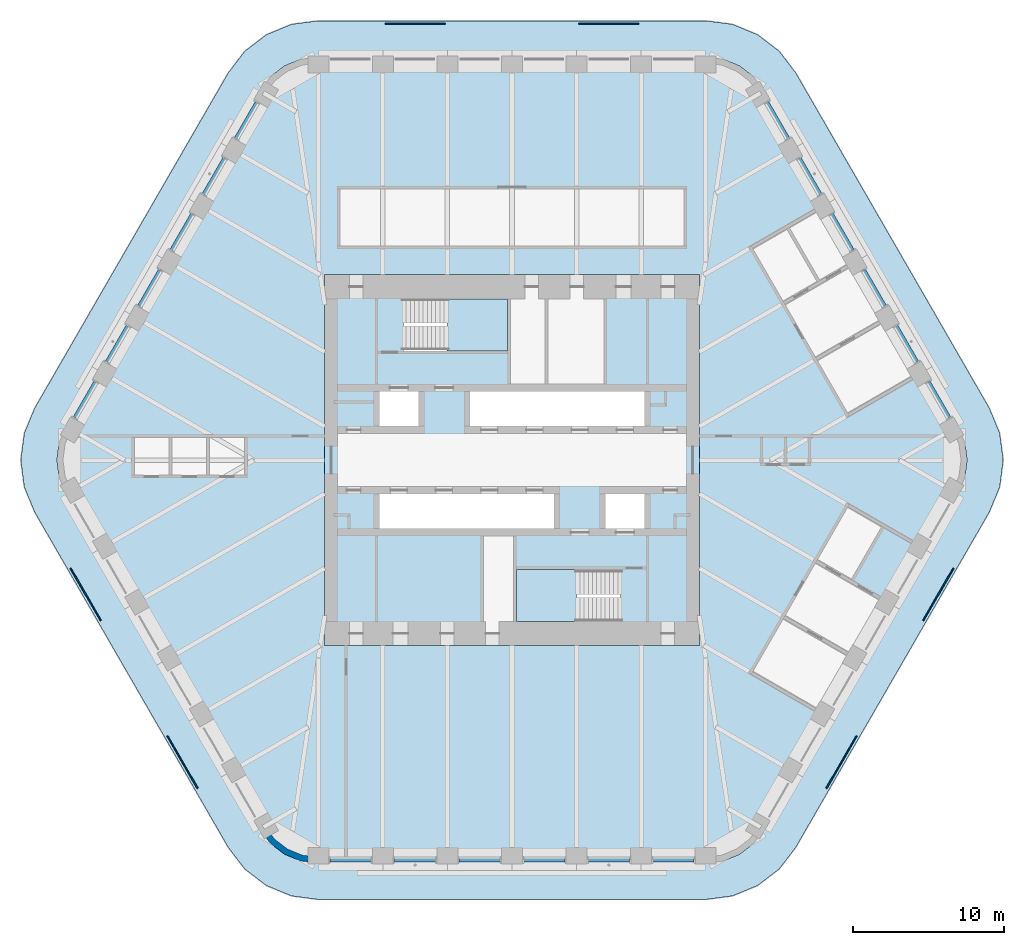
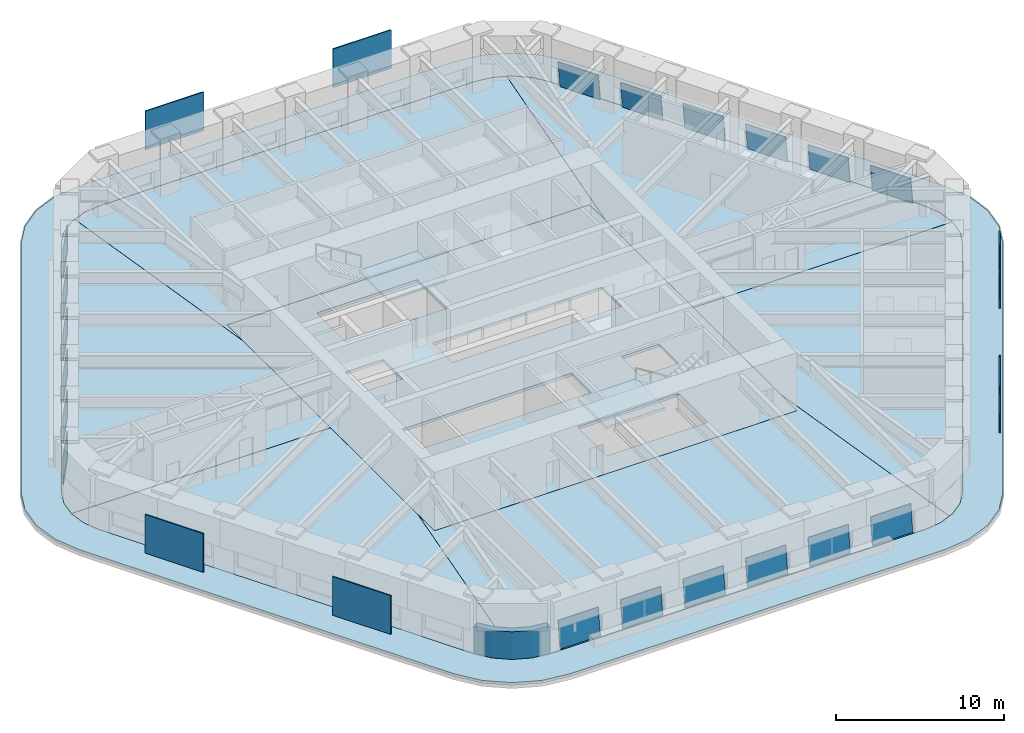
# One storey, part 12 of 18: 24 plates, 10 slabs, 1 wall, 20 elements without a shape of their own.
"""IFC4 building model written with IfcOpenShell, lengths in metres."""

import ifcopenshell
import ifcopenshell.guid

model = None  # the IFC model being written
_history = None  # IfcOwnerHistory: only IFC2X3 demands one
_inside = {}  # id of a spatial element -> (the spatial element, [elements in it])
_under = {}  # id of a project, library or spatial element -> (it, [spatial elements below it])
_declared = {}  # id of a project -> (the project, [libraries it declares])
_typed = {}  # id of a type object -> (the type object, [elements of that type])
_made_of = {}  # id of a material, layer set ... -> (it, [elements and type objects made of it])


def new_model(schema):
    """Start an empty IFC model of exactly this schema.

    Asked for "IFC4X3", IfcOpenShell would pick the latest addendum, in which some entities
    have other attributes; the version numbers below select the first issue.
    IFC2X3 requires an IfcOwnerHistory on every rooted entity: one is made here for all.
    """
    global model, _history
    if schema == "IFC4X3":
        model = ifcopenshell.file(schema_version=(4, 3, 0, 0))
    else:
        model = ifcopenshell.file(schema=schema)
    _inside.clear()
    _under.clear()
    _declared.clear()
    _typed.clear()
    _made_of.clear()
    _history = None
    if model.schema == "IFC2X3":
        org = make("IfcOrganization", Name="unknown")
        user = make(
            "IfcPersonAndOrganization",
            ThePerson=make("IfcPerson", FamilyName="unknown"),
            TheOrganization=org,
        )
        app = make(
            "IfcApplication",
            ApplicationDeveloper=org,
            Version="unknown",
            ApplicationFullName="unknown",
            ApplicationIdentifier="unknown",
        )
        _history = make(
            "IfcOwnerHistory",
            OwningUser=user,
            OwningApplication=app,
            ChangeAction="ADDED",
            CreationDate=0,
        )
    return model


def make(cls, **values):
    """One entity of the class cls with the attributes given. An attribute that is None is left unset."""
    return model.create_entity(
        cls, **{name: value for name, value in values.items() if value is not None}
    )


def rooted(cls, **values):
    """An entity with a GlobalId (a new one), such as an element, a storey or a relation."""
    return make(cls, GlobalId=ifcopenshell.guid.new(), OwnerHistory=_history, **values)


def si_unit(unit_type, name, prefix=None):
    """IfcSIUnit, for example si_unit("LENGTHUNIT", "METRE", prefix="MILLI")."""
    return make("IfcSIUnit", UnitType=unit_type, Prefix=prefix, Name=name)


def assignment(units):
    """IfcUnitAssignment: the units of a project."""
    return None if units is None else make("IfcUnitAssignment", Units=units)


def point(xyz):
    """IfcCartesianPoint."""
    return None if xyz is None else make("IfcCartesianPoint", Coordinates=xyz)


def direction(xyz):
    """IfcDirection."""
    return None if xyz is None else make("IfcDirection", DirectionRatios=xyz)


def frame(location, z_axis=None, x_axis=None):
    """IfcAxis2Placement3D, a coordinate frame: its origin and axes. An axis left out is left unset."""
    return make(
        "IfcAxis2Placement3D",
        Location=point(location),
        Axis=direction(z_axis),
        RefDirection=direction(x_axis),
    )


def frame_2d(location, x_axis=None):
    """IfcAxis2Placement2D, a coordinate frame in the plane: its origin and x axis."""
    return make(
        "IfcAxis2Placement2D", Location=point(location), RefDirection=direction(x_axis)
    )


def origin():
    """The frame at (0, 0, 0) with its axes left unset."""
    return frame((0.0, 0.0, 0.0))


def origin_2d():
    """The frame at (0, 0) in the plane with its x axis left unset."""
    return frame_2d((0.0, 0.0))


def place(relative_to, where):
    """IfcLocalPlacement: puts the frame where relative to a parent placement (None: the world)."""
    return make(
        "IfcLocalPlacement", PlacementRelTo=relative_to, RelativePlacement=where
    )


def context(
    kind, dimensions, precision=None, world=None, true_north=None, identifier=None
):
    """IfcGeometricRepresentationContext, for example the 3D "Model" context."""
    return make(
        "IfcGeometricRepresentationContext",
        ContextIdentifier=identifier,
        ContextType=kind,
        CoordinateSpaceDimension=dimensions,
        Precision=precision,
        WorldCoordinateSystem=world,
        TrueNorth=true_north,
    )


def subcontext(parent, identifier, kind, view, scale=None):
    """IfcGeometricRepresentationSubContext, for example "Body" below "Model"."""
    return make(
        "IfcGeometricRepresentationSubContext",
        ContextIdentifier=identifier,
        ContextType=kind,
        ParentContext=parent,
        TargetScale=scale,
        TargetView=view,
    )


def project(units=None, contexts=None):
    """IfcProject with its units and contexts."""
    return rooted(
        "IfcProject",
        Name="project",
        RepresentationContexts=contexts,
        UnitsInContext=assignment(units),
    )


def spatial(cls, under=None, at=None, **own):
    """A site, building, storey or space (cls), placed at a placement, below another one or the project."""
    s = rooted(cls, ObjectPlacement=at, **own)
    if under is not None:
        _under.setdefault(under.id(), (under, []))[1].append(s)
    return s


def polyline(points):
    """IfcPolyline through the points."""
    return make("IfcPolyline", Points=[point(p) for p in points])


def profile(cls, at=None, kind="AREA", **sizes):
    """A parametric profile (cls). Its sizes go by their IFC names, for example OverallWidth=200.0."""
    return make(cls, ProfileType=kind, Position=at, **sizes)


def rectangle(**sizes):
    """IfcRectangleProfileDef."""
    return profile("IfcRectangleProfileDef", **sizes)


def outline(outer, holes=None, kind="AREA"):
    """IfcArbitraryClosedProfileDef: a profile drawn as a closed curve; with holes, ...WithVoids."""
    if holes is None:
        return make("IfcArbitraryClosedProfileDef", ProfileType=kind, OuterCurve=outer)
    return make(
        "IfcArbitraryProfileDefWithVoids",
        ProfileType=kind,
        OuterCurve=outer,
        InnerCurves=holes,
    )


def extrude(swept, where, along, depth):
    """IfcExtrudedAreaSolid: the profile swept, set in the frame where, extruded along a direction by depth."""
    return make(
        "IfcExtrudedAreaSolid",
        SweptArea=swept,
        Position=where,
        ExtrudedDirection=direction(along),
        Depth=depth,
    )


def shape(context_of_items, identifier, shape_type, items):
    """IfcShapeRepresentation: the items that make up one representation, for example the "Body"."""
    return make(
        "IfcShapeRepresentation",
        ContextOfItems=context_of_items,
        RepresentationIdentifier=identifier,
        RepresentationType=shape_type,
        Items=items,
    )


def material(Name=None, Category=None):
    """IfcMaterial."""
    return make("IfcMaterial", Name=Name, Category=Category)


def layer(
    of_material, thickness, ventilated=None, Name=None, Category=None, Priority=None
):
    """IfcMaterialLayer: one layer of a wall or slab, of a material (None: an air gap)."""
    return make(
        "IfcMaterialLayer",
        Material=of_material,
        LayerThickness=thickness,
        IsVentilated=ventilated,
        Name=Name,
        Category=Category,
        Priority=Priority,
    )


def layer_set(layers, Name=None):
    """IfcMaterialLayerSet."""
    return make("IfcMaterialLayerSet", MaterialLayers=layers, LayerSetName=Name)


def made_of(thing, what):
    """Note that an element or type object is made of a material, layer set ...; save() writes the relation."""
    if what is not None:
        _made_of.setdefault(what.id(), (what, []))[1].append(thing)
    return thing


def type_object(cls, material=None, **own):
    """A type object (cls), such as IfcWallType, which elements share."""
    return made_of(rooted(cls, **own), material)


def element(
    cls,
    number,
    at=None,
    inside=None,
    cuts=None,
    type_object=None,
    material=None,
    context=None,
    identifier="Body",
    shape_type=None,
    held_by="IfcProductDefinitionShape",
    body=None,
    shapes=None,
    **own,
):
    """One element of the class cls, such as IfcWall. Its Tag is "e" and its number.

    at: its placement. inside: the storey or other place that contains it. cuts: it is an
    opening in that element (IfcRelVoidsElement). A single representation is given by context,
    identifier, shape_type and body (its items); several are given by shapes. held_by: the class
    of the entity that holds the representations. save() writes the other relations.
    """
    e = rooted(cls, Tag="e%d" % number, ObjectPlacement=at, **own)
    if body is not None:
        shapes = [shape(context, identifier, shape_type, body)]
    if shapes is not None:
        e.Representation = make(held_by, Representations=shapes)
    if inside is not None:
        _inside.setdefault(inside.id(), (inside, []))[1].append(e)
    if cuts is not None:
        rooted(
            "IfcRelVoidsElement", RelatingBuildingElement=cuts, RelatedOpeningElement=e
        )
    if type_object is not None:
        _typed.setdefault(type_object.id(), (type_object, []))[1].append(e)
    return made_of(e, material)


def aggregate(whole, parts):
    """IfcRelAggregates: a whole, such as a stair, and the parts it consists of."""
    return rooted("IfcRelAggregates", RelatingObject=whole, RelatedObjects=parts)


def save(model, path):
    """Write the relations noted so far, then the file.

    IfcRelAggregates (storeys below a building ...), IfcRelContainedInSpatialStructure (elements
    in a storey), IfcRelDefinesByType, IfcRelAssociatesMaterial and IfcRelDeclares: one each for
    every whole, place, type object, material and project.
    """
    for whole, parts in _under.values():
        aggregate(whole, parts)
    for where, things in _inside.values():
        rooted(
            "IfcRelContainedInSpatialStructure",
            RelatedElements=things,
            RelatingStructure=where,
        )
    for kind, things in _typed.values():
        rooted("IfcRelDefinesByType", RelatedObjects=things, RelatingType=kind)
    for what, things in _made_of.values():
        rooted("IfcRelAssociatesMaterial", RelatedObjects=things, RelatingMaterial=what)
    for by, libraries in _declared.values():
        rooted("IfcRelDeclares", RelatingContext=by, RelatedDefinitions=libraries)
    model.write(path)


model = new_model("IFC4")

# Units and contexts
model_context = context("Model", 3, precision=1e-05, world=origin(), true_north=direction((0.0, 1.0)))
body_context = subcontext(model_context, "Body", "Model", "MODEL_VIEW")
ifc_project = project(units=[si_unit("LENGTHUNIT", "METRE"), si_unit("AREAUNIT", "SQUARE_METRE"), si_unit("VOLUMEUNIT", "CUBIC_METRE"), si_unit("PLANEANGLEUNIT", "RADIAN"), si_unit("MASSUNIT", "GRAM", prefix="KILO")], contexts=[model_context])

# Site, building, storey
site_placement = place(None, origin())
site = spatial("IfcSite", under=ifc_project, at=site_placement, CompositionType="ELEMENT")
building_placement = place(site_placement, origin())
building = spatial("IfcBuilding", under=site, at=building_placement, Name="Tarfa Lantern Tower", CompositionType="ELEMENT")
storey_placement = place(building_placement, frame((0.0, 0.0, 324.10009765625)))
storey = spatial("IfcBuildingStorey", under=building, at=storey_placement, Name="L73", CompositionType="ELEMENT", Elevation=324.10009765625)

# Slab
ifc_material_1 = material(Name="Concrete C40/50", Category="concrete")
ifc_layer_1 = layer(ifc_material_1, 0.199951171875)
ifc_layer_set_1 = layer_set([ifc_layer_1], Name="BS2 BALCONY SLAB 200")
slab_type_1 = type_object("IfcSlabType", Name="BS2 BALCONY SLAB 200", PredefinedType="FLOOR", material=ifc_layer_set_1)
slab_1_placement = place(storey_placement, frame((0.0, 0.0, -0.2001953125)))
element("IfcSlab", 1, at=slab_1_placement, inside=storey, type_object=slab_type_1, Name="Planted ledge L73", PredefinedType="FLOOR", context=body_context, shape_type="SweptSolid", body=[
    extrude(outline(polyline([(31.667724609375, 3.449951171875), (18.821533203125, 25.699951171875), (17.72509765625, 27.129150390625), (16.296142578125, 28.2255859375), (14.6318359375, 28.914794921875), (12.845947265625, 29.14990234375), (-12.845947265625, 29.14990234375), (-14.6318359375, 28.914794921875), (-16.296142578125, 28.2255859375), (-17.72509765625, 27.129150390625), (-18.821533203125, 25.699951171875), (-31.667724609375, 3.449951171875), (-32.35693359375, 1.785888671875), (-32.592041015625, 0.0), (-32.35693359375, -1.785888671875), (-31.667724609375, -3.449951171875), (-18.821533203125, -25.699951171875), (-17.72509765625, -27.129150390625), (-16.296142578125, -28.2255859375), (-14.6318359375, -28.914794921875), (-12.845947265625, -29.14990234375), (12.845947265625, -29.14990234375), (14.6318359375, -28.914794921875), (16.296142578125, -28.2255859375), (17.72509765625, -27.129150390625), (18.821533203125, -25.699951171875), (31.667724609375, -3.449951171875), (32.35693359375, -1.785888671875), (32.592041015625, 0.0), (32.35693359375, 1.785888671875), (31.667724609375, 3.449951171875)]), holes=[polyline([(29.589111328125, 2.25), (16.7431640625, 24.5), (16.028076171875, 25.431884765625), (15.095947265625, 26.147216796875), (14.0107421875, 26.5966796875), (12.845947265625, 26.75), (-12.845947265625, 26.75), (-14.0107421875, 26.5966796875), (-15.095947265625, 26.147216796875), (-16.028076171875, 25.431884765625), (-16.7431640625, 24.5), (-29.589111328125, 2.25), (-30.038818359375, 1.164794921875), (-30.192138671875, 0.0), (-30.038818359375, -1.164794921875), (-29.589111328125, -2.25), (-16.7431640625, -24.5), (-16.028076171875, -25.431884765625), (-15.095947265625, -26.147216796875), (-14.0107421875, -26.5966796875), (-12.845947265625, -26.75), (12.845947265625, -26.75), (14.0107421875, -26.5966796875), (15.095947265625, -26.147216796875), (16.028076171875, -25.431884765625), (16.7431640625, -24.5), (29.589111328125, -2.25), (30.038818359375, -1.164794921875), (30.192138671875, 0.0), (30.038818359375, 1.164794921875), (29.589111328125, 2.25)])]), origin(), (0.0, 0.0, 1.0), 0.2001953125),
])

# Curtain wall, plate
ifc_material_2 = material(Name="Aluminium framed curtain wall", Category="aluminium")
curtain_wall_type = type_object("IfcCurtainWallType", Name="CW4 CANTED GLAZING EXECUTIVE ZONE 2000", PredefinedType="USERDEFINED", material=ifc_material_2)
curtain_wall_1_placement = place(storey_placement, origin())
curtain_wall_1 = element("IfcCurtainWall", 2, at=curtain_wall_1_placement, inside=storey, type_object=curtain_wall_type, Name="CW4 NE L73", ObjectType="CURTAIN WALL", PredefinedType="USERDEFINED")
ifc_material_3 = material(Name="Laminated double glazing", Category="glass")
ifc_layer_2 = layer(ifc_material_3, 0.028076171875)
ifc_layer_set_2 = layer_set([ifc_layer_2], Name="CWP1 DOUBLE GLAZED PANEL")
plate_type_1 = type_object("IfcPlateType", Name="CWP1 DOUBLE GLAZED PANEL", PredefinedType="CURTAIN_PANEL", material=ifc_layer_set_2)
plate_1_placement = place(storey_placement, frame((29.1201171875, 2.862548828125, 0.0), z_axis=(0.859350076056, 0.496112371693, 0.124056283335), x_axis=(-0.499974879503, 0.86603990662, 2.729999e-06)))
plate_1 = element("IfcPlate", 3, at=plate_1_placement, type_object=plate_type_1, Name="CW4 panel 1.1", PredefinedType="CURTAIN_PANEL", context=body_context, shape_type="SweptSolid", body=[
    extrude(outline(polyline([(0.0, 0.0), (2.7519873020761905, 0.0), (2.75206306576698, 1.9498693239333225), (-0.0001356718332881603, 1.9498844673345277), (0.0, 0.0)])), origin(), (0.0, 0.0, -1.0), 0.028076171875),
])
aggregate(curtain_wall_1, [plate_1])

curtain_wall_2_placement = place(storey_placement, origin())
curtain_wall_2 = element("IfcCurtainWall", 4, at=curtain_wall_2_placement, inside=storey, type_object=curtain_wall_type, Name="CW4 NE L73", ObjectType="CURTAIN WALL", PredefinedType="USERDEFINED")
plate_2_placement = place(storey_placement, frame((26.97900390625, 6.57080078125, 0.0), z_axis=(0.859342409856, 0.496133356069, 0.124025463585), x_axis=(-0.499993790352, 0.866028988896, 0.0)))
plate_2 = element("IfcPlate", 5, at=plate_2_placement, type_object=plate_type_1, Name="CW4 panel 1.1", PredefinedType="CURTAIN_PANEL", context=body_context, shape_type="SweptSolid", body=[
    extrude(outline(polyline([(0.0, 0.0), (2.7519873027425428, -2.7755575615628914e-17), (2.7520630651006095, 1.9498693248738435), (7.576235806631915e-05, 1.9498693248738435), (0.0, 0.0)])), origin(), (0.0, 0.0, -1.0), 0.028076171875),
])
aggregate(curtain_wall_2, [plate_2])

curtain_wall_3_placement = place(storey_placement, origin())
curtain_wall_3 = element("IfcCurtainWall", 6, at=curtain_wall_3_placement, inside=storey, type_object=curtain_wall_type, Name="CW4 NE L73", ObjectType="CURTAIN WALL", PredefinedType="USERDEFINED")
plate_3_placement = place(storey_placement, frame((24.838134765625, 10.279296875, 0.0), z_axis=(0.859335735939, 0.496129502946, 0.124087103457), x_axis=(-0.499993790352, 0.866028988896, 0.0)))
plate_3 = element("IfcPlate", 7, at=plate_3_placement, type_object=plate_type_1, Name="CW4 panel 1.1", PredefinedType="CURTAIN_PANEL", context=body_context, shape_type="SweptSolid", body=[
    extrude(outline(polyline([(0.0, 0.0), (2.7519873027425428, 0.0), (2.7518516322419924, 1.9498844682750827), (-0.00013567050055098007, 1.9498844682750827), (0.0, 0.0)])), origin(), (0.0, 0.0, -1.0), 0.028076171875),
])
aggregate(curtain_wall_3, [plate_3])

curtain_wall_4_placement = place(storey_placement, origin())
curtain_wall_4 = element("IfcCurtainWall", 8, at=curtain_wall_4_placement, inside=storey, type_object=curtain_wall_type, Name="CW4 NE L73", ObjectType="CURTAIN WALL", PredefinedType="USERDEFINED")
plate_4_placement = place(storey_placement, frame((22.697021484375, 13.987548828125, 0.0), z_axis=(0.859350076056, 0.496112371693, 0.124056283335), x_axis=(-0.499974879503, 0.86603990662, 2.729999e-06)))
plate_4 = element("IfcPlate", 9, at=plate_4_placement, type_object=plate_type_1, Name="CW4 panel 1.1", PredefinedType="CURTAIN_PANEL", context=body_context, shape_type="SweptSolid", body=[
    extrude(outline(polyline([(0.0, 0.0), (2.7519873020761905, 0.0), (2.75206306576698, 1.9498693239333225), (-0.0001356718332881603, 1.9498844673345277), (0.0, 0.0)])), origin(), (0.0, 0.0, -1.0), 0.028076171875),
])
aggregate(curtain_wall_4, [plate_4])

curtain_wall_5_placement = place(storey_placement, origin())
curtain_wall_5 = element("IfcCurtainWall", 10, at=curtain_wall_5_placement, inside=storey, type_object=curtain_wall_type, Name="CW4 NE L73", ObjectType="CURTAIN WALL", PredefinedType="USERDEFINED")
plate_5_placement = place(storey_placement, frame((20.55615234375, 17.69580078125, 0.0), z_axis=(0.859342409856, 0.496133356069, 0.124025463585), x_axis=(-0.499993790352, 0.866028988896, 0.0)))
plate_5 = element("IfcPlate", 11, at=plate_5_placement, type_object=plate_type_1, Name="CW4 panel 1.1", PredefinedType="CURTAIN_PANEL", context=body_context, shape_type="SweptSolid", body=[
    extrude(outline(polyline([(0.0, 0.0), (2.7519873027425428, -2.7755575615628914e-17), (2.7520630651006095, 1.9498693248738435), (7.576235806631915e-05, 1.9498693248738435), (0.0, 0.0)])), origin(), (0.0, 0.0, -1.0), 0.028076171875),
])
aggregate(curtain_wall_5, [plate_5])

curtain_wall_6_placement = place(storey_placement, origin())
curtain_wall_6 = element("IfcCurtainWall", 12, at=curtain_wall_6_placement, inside=storey, type_object=curtain_wall_type, Name="CW4 NE L73", ObjectType="CURTAIN WALL", PredefinedType="USERDEFINED")
plate_6_placement = place(storey_placement, frame((18.4150390625, 21.404296875, 0.0), z_axis=(0.859335735939, 0.496129502946, 0.124087103457), x_axis=(-0.499993790352, 0.866028988896, 0.0)))
plate_6 = element("IfcPlate", 13, at=plate_6_placement, type_object=plate_type_1, Name="CW4 panel 1.1", PredefinedType="CURTAIN_PANEL", context=body_context, shape_type="SweptSolid", body=[
    extrude(outline(polyline([(0.0, 0.0), (2.7519873027425428, 0.0), (2.7518516322419924, 1.9498844682750827), (-0.00013567050055098007, 1.9498844682750827), (0.0, 0.0)])), origin(), (0.0, 0.0, -1.0), 0.028076171875),
])
aggregate(curtain_wall_6, [plate_6])

curtain_wall_7_placement = place(storey_placement, origin())
curtain_wall_7 = element("IfcCurtainWall", 14, at=curtain_wall_7_placement, inside=storey, type_object=curtain_wall_type, Name="CW4 NW L73", ObjectType="CURTAIN WALL", PredefinedType="USERDEFINED")
plate_7_placement = place(storey_placement, frame((-17.0390625, 23.78759765625, 0.0), z_axis=(-0.859335735939, 0.496129502946, 0.124087103457), x_axis=(-0.499993790352, -0.866028988896, 0.0)))
plate_7 = element("IfcPlate", 15, at=plate_7_placement, type_object=plate_type_1, Name="CW4 panel 1.1", PredefinedType="CURTAIN_PANEL", context=body_context, shape_type="SweptSolid", body=[
    extrude(outline(polyline([(0.0, 0.0), (2.7519873027425428, 0.0), (2.752122973243094, 1.9498844682750827), (0.00013567050055098007, 1.9498844682750827), (0.0, 0.0)])), origin(), (0.0, 0.0, -1.0), 0.028076171875),
])
aggregate(curtain_wall_7, [plate_7])

curtain_wall_8_placement = place(storey_placement, origin())
curtain_wall_8 = element("IfcCurtainWall", 16, at=curtain_wall_8_placement, inside=storey, type_object=curtain_wall_type, Name="CW4 NW L73", ObjectType="CURTAIN WALL", PredefinedType="USERDEFINED")
plate_8_placement = place(storey_placement, frame((-19.18017578125, 20.0791015625, 0.0), z_axis=(-0.859342409856, 0.496133356069, 0.124025463585), x_axis=(-0.499993790352, -0.866028988896, 0.0)))
plate_8 = element("IfcPlate", 17, at=plate_8_placement, type_object=plate_type_1, Name="CW4 panel 1.1", PredefinedType="CURTAIN_PANEL", context=body_context, shape_type="SweptSolid", body=[
    extrude(outline(polyline([(0.0, 0.0), (2.7519873027425428, 2.7755575615628914e-17), (2.7519115403844765, 1.9498693248738435), (-7.576235806631915e-05, 1.9498693248738435), (0.0, 0.0)])), origin(), (0.0, 0.0, -1.0), 0.028076171875),
])
aggregate(curtain_wall_8, [plate_8])

curtain_wall_9_placement = place(storey_placement, origin())
curtain_wall_9 = element("IfcCurtainWall", 18, at=curtain_wall_9_placement, inside=storey, type_object=curtain_wall_type, Name="CW4 NW L73", ObjectType="CURTAIN WALL", PredefinedType="USERDEFINED")
plate_9_placement = place(storey_placement, frame((-21.321044921875, 16.370849609375, 0.0), z_axis=(-0.859350076056, 0.496112371693, 0.124056283335), x_axis=(-0.499974879503, -0.86603990662, -2.729999e-06)))
plate_9 = element("IfcPlate", 19, at=plate_9_placement, type_object=plate_type_1, Name="CW4 panel 1.1", PredefinedType="CURTAIN_PANEL", context=body_context, shape_type="SweptSolid", body=[
    extrude(outline(polyline([(0.0, 0.0), (2.7519873020761905, 0.0), (2.752122973909479, 1.9498844673345277), (-7.576369078895066e-05, 1.9498693239333225), (0.0, 0.0)])), origin(), (0.0, 0.0, -1.0), 0.028076171875),
])
aggregate(curtain_wall_9, [plate_9])

curtain_wall_10_placement = place(storey_placement, origin())
curtain_wall_10 = element("IfcCurtainWall", 20, at=curtain_wall_10_placement, inside=storey, type_object=curtain_wall_type, Name="CW4 NW L73", ObjectType="CURTAIN WALL", PredefinedType="USERDEFINED")
plate_10_placement = place(storey_placement, frame((-23.462158203125, 12.66259765625, 0.0), z_axis=(-0.859335735939, 0.496129502946, 0.124087103457), x_axis=(-0.499993790352, -0.866028988896, 0.0)))
plate_10 = element("IfcPlate", 21, at=plate_10_placement, type_object=plate_type_1, Name="CW4 panel 1.1", PredefinedType="CURTAIN_PANEL", context=body_context, shape_type="SweptSolid", body=[
    extrude(outline(polyline([(0.0, 0.0), (2.7519873027425428, 0.0), (2.752122973243094, 1.9498844682750827), (0.00013567050055098007, 1.9498844682750827), (0.0, 0.0)])), origin(), (0.0, 0.0, -1.0), 0.028076171875),
])
aggregate(curtain_wall_10, [plate_10])

curtain_wall_11_placement = place(storey_placement, origin())
curtain_wall_11 = element("IfcCurtainWall", 22, at=curtain_wall_11_placement, inside=storey, type_object=curtain_wall_type, Name="CW4 NW L73", ObjectType="CURTAIN WALL", PredefinedType="USERDEFINED")
plate_11_placement = place(storey_placement, frame((-25.60302734375, 8.9541015625, 0.0), z_axis=(-0.859342409856, 0.496133356069, 0.124025463585), x_axis=(-0.499993790352, -0.866028988896, 0.0)))
plate_11 = element("IfcPlate", 23, at=plate_11_placement, type_object=plate_type_1, Name="CW4 panel 1.1", PredefinedType="CURTAIN_PANEL", context=body_context, shape_type="SweptSolid", body=[
    extrude(outline(polyline([(0.0, 0.0), (2.7519873027425428, 2.7755575615628914e-17), (2.7519115403844765, 1.9498693248738435), (-7.576235806631915e-05, 1.9498693248738435), (0.0, 0.0)])), origin(), (0.0, 0.0, -1.0), 0.028076171875),
])
aggregate(curtain_wall_11, [plate_11])

curtain_wall_12_placement = place(storey_placement, origin())
curtain_wall_12 = element("IfcCurtainWall", 24, at=curtain_wall_12_placement, inside=storey, type_object=curtain_wall_type, Name="CW4 NW L73", ObjectType="CURTAIN WALL", PredefinedType="USERDEFINED")
plate_12_placement = place(storey_placement, frame((-27.744140625, 5.245849609375, 0.0), z_axis=(-0.859350076056, 0.496112371693, 0.124056283335), x_axis=(-0.499974879503, -0.86603990662, -2.729999e-06)))
plate_12 = element("IfcPlate", 25, at=plate_12_placement, type_object=plate_type_1, Name="CW4 panel 1.1", PredefinedType="CURTAIN_PANEL", context=body_context, shape_type="SweptSolid", body=[
    extrude(outline(polyline([(0.0, 0.0), (2.7519873020761905, 0.0), (2.752122973909479, 1.9498844673345277), (-7.576369078895066e-05, 1.9498693239333225), (0.0, 0.0)])), origin(), (0.0, 0.0, -1.0), 0.028076171875),
])
aggregate(curtain_wall_12, [plate_12])

curtain_wall_13_placement = place(storey_placement, origin())
curtain_wall_13 = element("IfcCurtainWall", 26, at=curtain_wall_13_placement, inside=storey, type_object=curtain_wall_type, Name="CW4 S L73", ObjectType="CURTAIN WALL", PredefinedType="USERDEFINED")
plate_13_placement = place(storey_placement, frame((-12.0810546875, -26.64990234375, 0.0), z_axis=(0.0, -0.992287505244, 0.123957682043), x_axis=(1.0, 0.0, 0.0)))
plate_13 = element("IfcPlate", 27, at=plate_13_placement, type_object=plate_type_1, Name="CW4 panel 1.1", PredefinedType="CURTAIN_PANEL", context=body_context, shape_type="SweptSolid", body=[
    extrude(outline(polyline([(0.0, 0.0), (2.751953125, 0.0), (2.751953125, 1.9498526817084807), (0.0, 1.9498526817084807), (0.0, 0.0)])), origin(), (0.0, 0.0, -1.0), 0.028076171875),
])
aggregate(curtain_wall_13, [plate_13])

curtain_wall_14_placement = place(storey_placement, origin())
curtain_wall_14 = element("IfcCurtainWall", 28, at=curtain_wall_14_placement, inside=storey, type_object=curtain_wall_type, Name="CW4 S L73", ObjectType="CURTAIN WALL", PredefinedType="USERDEFINED")
plate_14_placement = place(storey_placement, frame((-7.799072265625, -26.64990234375, 0.0), z_axis=(0.0, -0.992287505244, 0.123957682043), x_axis=(1.0, 0.0, 0.0)))
plate_14 = element("IfcPlate", 29, at=plate_14_placement, type_object=plate_type_1, Name="CW4 panel 1.1", PredefinedType="CURTAIN_PANEL", context=body_context, shape_type="SweptSolid", body=[
    extrude(outline(polyline([(0.0, 0.0), (2.751953125, 0.0), (2.751953125, 1.9498526817084807), (0.0, 1.9498526817084807), (0.0, 0.0)])), origin(), (0.0, 0.0, -1.0), 0.028076171875),
])
aggregate(curtain_wall_14, [plate_14])

curtain_wall_15_placement = place(storey_placement, origin())
curtain_wall_15 = element("IfcCurtainWall", 30, at=curtain_wall_15_placement, inside=storey, type_object=curtain_wall_type, Name="CW4 S L73", ObjectType="CURTAIN WALL", PredefinedType="USERDEFINED")
plate_15_placement = place(storey_placement, frame((-3.51708984375, -26.64990234375, 0.0), z_axis=(0.0, -0.992287505244, 0.123957682043), x_axis=(1.0, 0.0, 0.0)))
plate_15 = element("IfcPlate", 31, at=plate_15_placement, type_object=plate_type_1, Name="CW4 panel 1.1", PredefinedType="CURTAIN_PANEL", context=body_context, shape_type="SweptSolid", body=[
    extrude(outline(polyline([(0.0, 0.0), (2.752197265625, 0.0), (2.752197265625, 1.9498526817084807), (0.0, 1.9498526817084807), (0.0, 0.0)])), origin(), (0.0, 0.0, -1.0), 0.028076171875),
])
aggregate(curtain_wall_15, [plate_15])

curtain_wall_16_placement = place(storey_placement, origin())
curtain_wall_16 = element("IfcCurtainWall", 32, at=curtain_wall_16_placement, inside=storey, type_object=curtain_wall_type, Name="CW4 S L73", ObjectType="CURTAIN WALL", PredefinedType="USERDEFINED")
plate_16_placement = place(storey_placement, frame((0.764892578125, -26.64990234375, 0.0), z_axis=(0.0, -0.992287505244, 0.123957682043), x_axis=(1.0, 0.0, 0.0)))
plate_16 = element("IfcPlate", 33, at=plate_16_placement, type_object=plate_type_1, Name="CW4 panel 1.1", PredefinedType="CURTAIN_PANEL", context=body_context, shape_type="SweptSolid", body=[
    extrude(outline(polyline([(0.0, 0.0), (2.752197265625, 0.0), (2.752197265625, 1.9498526817084807), (0.0, 1.9498526817084807), (0.0, 0.0)])), origin(), (0.0, 0.0, -1.0), 0.028076171875),
])
aggregate(curtain_wall_16, [plate_16])

curtain_wall_17_placement = place(storey_placement, origin())
curtain_wall_17 = element("IfcCurtainWall", 34, at=curtain_wall_17_placement, inside=storey, type_object=curtain_wall_type, Name="CW4 S L73", ObjectType="CURTAIN WALL", PredefinedType="USERDEFINED")
plate_17_placement = place(storey_placement, frame((5.047119140625, -26.64990234375, 0.0), z_axis=(0.0, -0.992287505244, 0.123957682043), x_axis=(1.0, 0.0, 0.0)))
plate_17 = element("IfcPlate", 35, at=plate_17_placement, type_object=plate_type_1, Name="CW4 panel 1.1", PredefinedType="CURTAIN_PANEL", context=body_context, shape_type="SweptSolid", body=[
    extrude(outline(polyline([(0.0, 0.0), (2.751953125, 0.0), (2.751953125, 1.9498526817084807), (0.0, 1.9498526817084807), (0.0, 0.0)])), origin(), (0.0, 0.0, -1.0), 0.028076171875),
])
aggregate(curtain_wall_17, [plate_17])

curtain_wall_18_placement = place(storey_placement, origin())
curtain_wall_18 = element("IfcCurtainWall", 36, at=curtain_wall_18_placement, inside=storey, type_object=curtain_wall_type, Name="CW4 S L73", ObjectType="CURTAIN WALL", PredefinedType="USERDEFINED")
plate_18_placement = place(storey_placement, frame((9.3291015625, -26.64990234375, 0.0), z_axis=(0.0, -0.992287505244, 0.123957682043), x_axis=(1.0, 0.0, 0.0)))
plate_18 = element("IfcPlate", 37, at=plate_18_placement, type_object=plate_type_1, Name="CW4 panel 1.1", PredefinedType="CURTAIN_PANEL", context=body_context, shape_type="SweptSolid", body=[
    extrude(outline(polyline([(0.0, 0.0), (2.751953125, 0.0), (2.751953125, 1.9498526817084807), (0.0, 1.9498526817084807), (0.0, 0.0)])), origin(), (0.0, 0.0, -1.0), 0.028076171875),
])
aggregate(curtain_wall_18, [plate_18])

# Slabs
ifc_layer_3 = layer(ifc_material_1, 0.199951171875)
ifc_layer_set_3 = layer_set([ifc_layer_3], Name="FS1 FLOOR SLAB 200")
slab_type_2 = type_object("IfcSlabType", Name="FS1 FLOOR SLAB 200", PredefinedType="FLOOR", material=ifc_layer_set_3)
slab_2_placement = place(storey_placement, frame((0.0, 0.0, -0.2001953125)))
element("IfcSlab", 38, at=slab_2_placement, inside=storey, type_object=slab_type_2, Name="Floor slab L73", PredefinedType="FLOOR", context=body_context, shape_type="SweptSolid", body=[
    extrude(outline(polyline([(-12.425048828125, -12.300048828125), (12.425048828125, -12.300048828125), (12.425048828125, 12.300048828125), (-12.425048828125, 12.300048828125), (-12.425048828125, -12.300048828125)]), holes=[polyline([(-8.800048828125, 2.25), (-6.199951171875, 2.25), (-6.199951171875, 4.550048828125), (-8.800048828125, 4.550048828125), (-8.800048828125, 2.25)]), polyline([(-2.800048828125, 2.25), (8.800048828125, 2.25), (8.800048828125, 4.550048828125), (-2.800048828125, 4.550048828125), (-2.800048828125, 2.25)]), polyline([(8.800048828125, -2.25), (6.199951171875, -2.25), (6.199951171875, -4.550048828125), (8.800048828125, -4.550048828125), (8.800048828125, -2.25)]), polyline([(2.800048828125, -2.25), (-8.800048828125, -2.25), (-8.800048828125, -4.550048828125), (2.800048828125, -4.550048828125), (2.800048828125, -2.25)]), polyline([(-7.199951171875, 7.25), (-0.300048828125, 7.25), (-0.300048828125, 10.699951171875), (-7.199951171875, 10.699951171875), (-7.199951171875, 7.25)]), polyline([(7.199951171875, -7.25), (0.300048828125, -7.25), (0.300048828125, -10.699951171875), (7.199951171875, -10.699951171875), (7.199951171875, -7.25)])]), origin(), (0.0, 0.0, 1.0), 0.2001953125),
])
slab_3_placement = place(storey_placement, frame((0.0, 0.0, -0.2001953125)))
element("IfcSlab", 39, at=slab_3_placement, inside=storey, type_object=slab_type_2, Name="Floor slab L73 NE bay", PredefinedType="FLOOR", context=body_context, shape_type="SweptSolid", body=[
    extrude(outline(polyline([(29.58740234375, 2.2490234375), (16.741455078125, 24.498779296875), (16.026611328125, 25.4306640625), (15.094970703125, 26.145263671875), (14.802001953125, 26.2666015625), (12.427001953125, 10.2998046875), (12.427001953125, 0.001953125), (30.189697265625, 0.001953125), (30.036865234375, 1.1640625), (29.58740234375, 2.2490234375)])), origin(), (0.0, 0.0, 1.0), 0.2001953125),
])
slab_4_placement = place(storey_placement, frame((0.0, 0.0, -0.2001953125)))
element("IfcSlab", 40, at=slab_4_placement, inside=storey, type_object=slab_type_2, Name="Floor slab L73 N bay", PredefinedType="FLOOR", context=body_context, shape_type="SweptSolid", body=[
    extrude(outline(polyline([(-12.427001953125, 10.3271484375), (-12.427001953125, 12.302001953125), (12.427001953125, 12.302001953125), (12.427001953125, 10.3271484375), (14.79833984375, 26.268310546875), (14.01025390625, 26.5947265625), (12.845947265625, 26.748046875), (-12.845947265625, 26.748046875), (-14.01025390625, 26.5947265625), (-14.79833984375, 26.268310546875), (-12.427001953125, 10.3271484375)])), origin(), (0.0, 0.0, 1.0), 0.2001953125),
])
slab_5_placement = place(storey_placement, frame((0.0, 0.0, -0.2001953125)))
element("IfcSlab", 41, at=slab_5_placement, inside=storey, type_object=slab_type_2, Name="Floor slab L73 NW bay", PredefinedType="FLOOR", context=body_context, shape_type="SweptSolid", body=[
    extrude(outline(polyline([(-12.427001953125, 0.001953125), (-12.427001953125, 10.2998046875), (-14.802001953125, 26.2666015625), (-15.094970703125, 26.145263671875), (-16.026611328125, 25.4306640625), (-16.741455078125, 24.498779296875), (-29.58740234375, 2.2490234375), (-30.036865234375, 1.1640625), (-30.189697265625, 0.001953125), (-12.427001953125, 0.001953125)])), origin(), (0.0, 0.0, 1.0), 0.2001953125),
])
slab_6_placement = place(storey_placement, frame((0.0, 0.0, -0.2001953125)))
element("IfcSlab", 42, at=slab_6_placement, inside=storey, type_object=slab_type_2, Name="Floor slab L73 SW bay", PredefinedType="FLOOR", context=body_context, shape_type="SweptSolid", body=[
    extrude(outline(polyline([(-12.427001953125, -10.2998046875), (-12.427001953125, -0.001953125), (-30.189697265625, -0.001953125), (-30.036865234375, -1.1640625), (-29.58740234375, -2.2490234375), (-16.741455078125, -24.498779296875), (-16.026611328125, -25.4306640625), (-15.094970703125, -26.145263671875), (-14.802001953125, -26.2666015625), (-12.427001953125, -10.2998046875)])), origin(), (0.0, 0.0, 1.0), 0.2001953125),
])
slab_7_placement = place(storey_placement, frame((0.0, 0.0, -0.2001953125)))
element("IfcSlab", 43, at=slab_7_placement, inside=storey, type_object=slab_type_2, Name="Floor slab L73 S bay", PredefinedType="FLOOR", context=body_context, shape_type="SweptSolid", body=[
    extrude(outline(polyline([(12.427001953125, -10.3271484375), (12.427001953125, -12.302001953125), (-12.427001953125, -12.302001953125), (-12.427001953125, -10.3271484375), (-14.79833984375, -26.268310546875), (-14.01025390625, -26.5947265625), (-12.845947265625, -26.748046875), (12.845947265625, -26.748046875), (14.01025390625, -26.5947265625), (14.79833984375, -26.268310546875), (12.427001953125, -10.3271484375)])), origin(), (0.0, 0.0, 1.0), 0.2001953125),
])
slab_8_placement = place(storey_placement, frame((0.0, 0.0, -0.2001953125)))
element("IfcSlab", 44, at=slab_8_placement, inside=storey, type_object=slab_type_2, Name="Floor slab L73 SE bay", PredefinedType="FLOOR", context=body_context, shape_type="SweptSolid", body=[
    extrude(outline(polyline([(12.427001953125, -0.001953125), (12.427001953125, -10.2998046875), (14.802001953125, -26.2666015625), (15.094970703125, -26.145263671875), (16.026611328125, -25.4306640625), (16.741455078125, -24.498779296875), (29.58740234375, -2.2490234375), (30.036865234375, -1.1640625), (30.189697265625, -0.001953125), (12.427001953125, -0.001953125)])), origin(), (0.0, 0.0, 1.0), 0.2001953125),
])

# Plates
ifc_material_4 = material(Name="Perforated limestone screen", Category="masonry")
ifc_layer_4 = layer(ifc_material_4, 0.080078125)
ifc_layer_set_4 = layer_set([ifc_layer_4], Name="SC1 STONE SCREEN 80")
plate_type_2 = type_object("IfcPlateType", Name="SC1 STONE SCREEN 80", PredefinedType="USERDEFINED", material=ifc_layer_set_4)
for number, where, z_axis, x_axis, name in (
    (45, (6.423095703125, 28.949951171875, 1.19970703125), (0.0, 0.0, 1.0), (-1.0, 0.0, 0.0), "Stone screen N 1"),
    (46, (-6.423095703125, 28.949951171875, 1.19970703125), (0.0, 0.0, 1.0), (-1.0, 0.0, 0.0), "Stone screen N 2"),
    (47, (-28.282958984375, -8.91259765625, 1.19970703125), (0.0, 0.0, 1.0), (0.5, -0.866025403784, 0.0), "Stone screen SW 1"),
    (48, (-21.85986328125, -20.03759765625, 1.19970703125), (0.0, 0.0, 1.0), (0.5, -0.866025403784, 0.0), "Stone screen SW 2"),
    (49, (21.85986328125, -20.03759765625, 1.19970703125), (0.0, 0.0, 1.0), (0.5, 0.866025403784, 0.0), "Stone screen SE 1"),
    (50, (28.282958984375, -8.91259765625, 1.19970703125), (0.0, 0.0, 1.0), (0.5, 0.866025403784, 0.0), "Stone screen SE 2"),
):
    element("IfcPlate", number, at=place(storey_placement, frame(where, z_axis=z_axis, x_axis=x_axis)), inside=storey, type_object=plate_type_2, Name=name, ObjectType="SCREEN", PredefinedType="USERDEFINED", context=body_context, shape_type="SweptSolid", body=[
        extrude(rectangle(XDim=4.0, YDim=0.080078125, at=origin_2d()), origin(), (0.0, 0.0, 1.0), 2.800048828125),
    ])

# Stair, slab
stair_type = type_object("IfcStairType", Name="ST-T10 HALF-TURN STAIR 4200 RISE", PredefinedType="HALF_TURN_STAIR", material=ifc_material_1)
stair_1_placement = place(storey_placement, origin())
stair_1 = element("IfcStair", 51, at=stair_1_placement, inside=storey, type_object=stair_type, Name="Stair ST1", PredefinedType="HALF_TURN_STAIR")
ifc_layer_5 = layer(ifc_material_1, 0.199951171875)
ifc_layer_set_5 = layer_set([ifc_layer_5], Name="SL1 STAIR LANDING 200")
slab_type_3 = type_object("IfcSlabType", Name="SL1 STAIR LANDING 200", PredefinedType="LANDING", material=ifc_layer_set_5)
slab_9_placement = place(storey_placement, frame((0.0, 0.0, 1.89990234375)))
slab_9 = element("IfcSlab", 52, at=slab_9_placement, type_object=slab_type_3, Name="ST1 landing 1", PredefinedType="LANDING", context=body_context, shape_type="SweptSolid", body=[
    extrude(outline(polyline([(-4.320068359375, 7.25), (-0.300048828125, 7.25), (-0.300048828125, 10.699951171875), (-4.320068359375, 10.699951171875), (-4.320068359375, 7.25)])), origin(), (0.0, 0.0, 1.0), 0.199951171875),
])
aggregate(stair_1, [slab_9])

stair_2_placement = place(storey_placement, origin())
stair_2 = element("IfcStair", 53, at=stair_2_placement, inside=storey, type_object=stair_type, Name="Stair ST2", PredefinedType="HALF_TURN_STAIR")
slab_10_placement = place(storey_placement, frame((0.0, 0.0, 1.89990234375)))
slab_10 = element("IfcSlab", 54, at=slab_10_placement, type_object=slab_type_3, Name="ST2 landing 1", PredefinedType="LANDING", context=body_context, shape_type="SweptSolid", body=[
    extrude(outline(polyline([(4.320068359375, -7.25), (0.300048828125, -7.25), (0.300048828125, -10.699951171875), (4.320068359375, -10.699951171875), (4.320068359375, -7.25)])), origin(), (0.0, 0.0, 1.0), 0.199951171875),
])
aggregate(stair_2, [slab_10])

# Wall
ifc_material_5 = material(Name="Limestone cladding on blockwork", Category="masonry")
ifc_layer_6 = layer(ifc_material_5, 0.39990234375)
ifc_layer_set_6 = layer_set([ifc_layer_6], Name="EW2 CURVED STONE CORNER 400")
wall_type = type_object("IfcWallType", Name="EW2 CURVED STONE CORNER 400", PredefinedType="SOLIDWALL", material=ifc_layer_set_6)
wall_placement = place(storey_placement, origin())
element("IfcWall", 55, at=wall_placement, inside=storey, type_object=wall_type, Name="Stone corner SW-S", PredefinedType="SOLIDWALL", context=body_context, shape_type="SweptSolid", body=[
    extrude(outline(polyline([(-16.7431640625, -24.5), (-16.028076171875, -25.431884765625), (-15.095947265625, -26.147216796875), (-14.0107421875, -26.5966796875), (-12.845947265625, -26.75), (-12.845947265625, -26.35009765625), (-13.9072265625, -26.210205078125), (-14.89599609375, -25.80078125), (-15.7451171875, -25.149169921875), (-16.396728515625, -24.300048828125), (-16.7431640625, -24.5)])), origin(), (0.0, 0.0, 1.0), 2.0),
])

save(model, "model.ifc")
